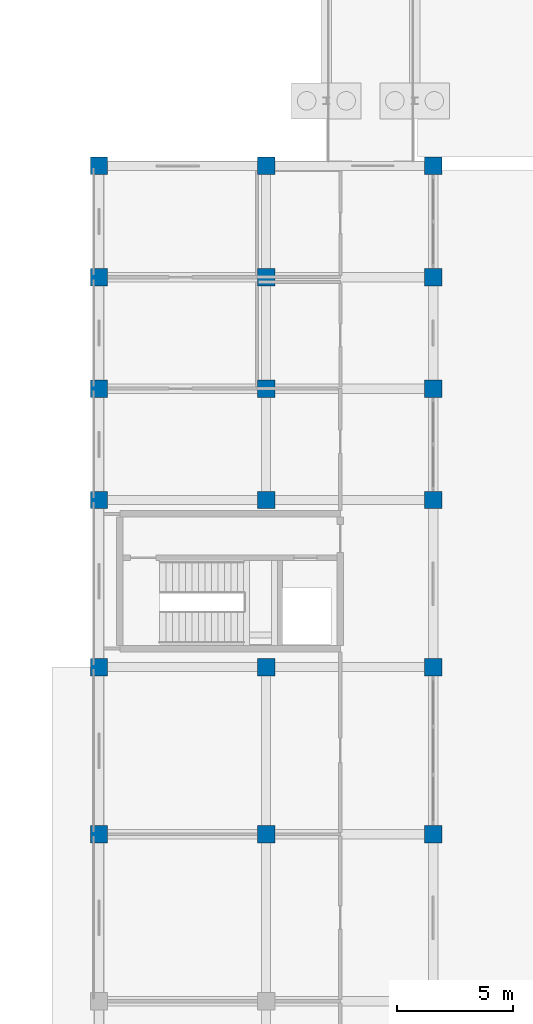
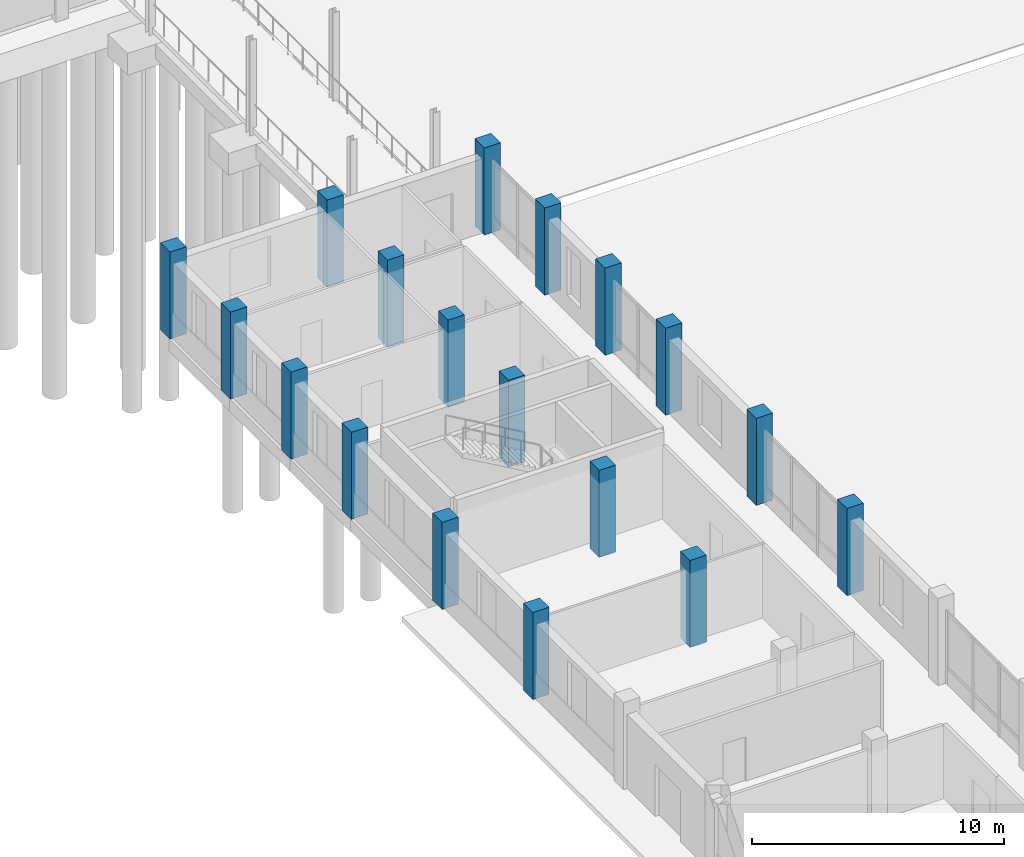
# One storey, part 7 of 98: 18 columns.
"""IFC4 building model written with IfcOpenShell, lengths in metres."""

from ifc_helpers import new_model, si_unit, direction, frame, origin, origin_2d, place, context, subcontext, project, spatial, rectangle, extrude, material, material_profile, profile_set, type_object, element, save


model = new_model("IFC4")

# Units and contexts
model_context = context("Model", 3, precision=1e-05, world=origin(), true_north=direction((0.0, 1.0)))
body_context = subcontext(model_context, "Body", "Model", "MODEL_VIEW")
ifc_project = project(units=[si_unit("LENGTHUNIT", "METRE"), si_unit("AREAUNIT", "SQUARE_METRE"), si_unit("VOLUMEUNIT", "CUBIC_METRE"), si_unit("PLANEANGLEUNIT", "RADIAN"), si_unit("MASSUNIT", "GRAM", prefix="KILO")], contexts=[model_context])

# Site, building, storey
site_placement = place(None, origin())
site = spatial("IfcSite", under=ifc_project, at=site_placement, CompositionType="ELEMENT")
building_placement = place(site_placement, origin())
building = spatial("IfcBuilding", under=site, at=building_placement, Name="Zornivar Specialist Clinic", CompositionType="ELEMENT")
storey_placement = place(building_placement, origin())
storey = spatial("IfcBuildingStorey", under=building, at=storey_placement, Name="L00", CompositionType="ELEMENT", Elevation=0.0)

# Columns
ifc_material = material(Name="Concrete C35/45", Category="concrete")
ifc_material_profile = material_profile(ifc_material, rectangle(XDim=0.75, YDim=0.75, at=origin_2d()), Name="RC 750x750")
ifc_profile_set = profile_set([ifc_material_profile], Name="Concrete C35/45")
column_type = type_object("IfcColumnType", Name="COL-RC-750", PredefinedType="COLUMN", material=ifc_profile_set)
for number, where, z_axis, x_axis, name in (
    (1, (0.0, 28.800048828125, 0.0), (0.0, 0.0, 1.0), (1.0, 0.0, 0.0), "col:V2:L00:0_288"),
    (2, (0.0, 36.0, 0.0), (0.0, 0.0, 1.0), (1.0, 0.0, 0.0), "col:V2:L00:0_360"),
    (3, (0.0, 43.199951171875, 0.0), (0.0, 0.0, 1.0), (1.0, 0.0, 0.0), "col:V2:L00:0_432"),
    (4, (0.0, 48.0, 0.0), (0.0, 0.0, 1.0), (1.0, 0.0, 0.0), "col:V2:L00:0_480"),
    (5, (0.0, 52.800048828125, 0.0), (0.0, 0.0, 1.0), (1.0, 0.0, 0.0), "col:V2:L00:0_528"),
    (6, (0.0, 57.60009765625, 0.0), (0.0, 0.0, 1.0), (1.0, 0.0, 0.0), "col:V2:L00:0_576"),
    (7, (7.199951171875, 28.800048828125, 0.0), (0.0, 0.0, 1.0), (1.0, 0.0, 0.0), "col:V2:L00:72_288"),
    (8, (7.199951171875, 36.0, 0.0), (0.0, 0.0, 1.0), (1.0, 0.0, 0.0), "col:V2:L00:72_360"),
    (9, (7.199951171875, 43.199951171875, 0.0), (0.0, 0.0, 1.0), (1.0, 0.0, 0.0), "col:V2:L00:72_432"),
    (10, (7.199951171875, 48.0, 0.0), (0.0, 0.0, 1.0), (1.0, 0.0, 0.0), "col:V2:L00:72_480"),
    (11, (7.199951171875, 52.800048828125, 0.0), (0.0, 0.0, 1.0), (1.0, 0.0, 0.0), "col:V2:L00:72_528"),
    (12, (7.199951171875, 57.60009765625, 0.0), (0.0, 0.0, 1.0), (1.0, 0.0, 0.0), "col:V2:L00:72_576"),
    (13, (14.39990234375, 28.800048828125, 0.0), (0.0, 0.0, 1.0), (1.0, 0.0, 0.0), "col:V2:L00:144_288"),
    (14, (14.39990234375, 36.0, 0.0), (0.0, 0.0, 1.0), (1.0, 0.0, 0.0), "col:V2:L00:144_360"),
    (15, (14.39990234375, 43.199951171875, 0.0), (0.0, 0.0, 1.0), (1.0, 0.0, 0.0), "col:V2:L00:144_432"),
    (16, (14.39990234375, 48.0, 0.0), (0.0, 0.0, 1.0), (1.0, 0.0, 0.0), "col:V2:L00:144_480"),
    (17, (14.39990234375, 52.800048828125, 0.0), (0.0, 0.0, 1.0), (1.0, 0.0, 0.0), "col:V2:L00:144_528"),
    (18, (14.39990234375, 57.60009765625, 0.0), (0.0, 0.0, 1.0), (1.0, 0.0, 0.0), "col:V2:L00:144_576"),
):
    element("IfcColumn", number, at=place(storey_placement, frame(where, z_axis=z_axis, x_axis=x_axis)), inside=storey, type_object=column_type, Name=name, PredefinedType="COLUMN", context=body_context, shape_type="SweptSolid", body=[
        extrude(rectangle(XDim=0.75, YDim=0.75, at=origin_2d()), origin(), (0.0, 0.0, 1.0), 4.219970703125),
    ])

save(model, "model.ifc")
